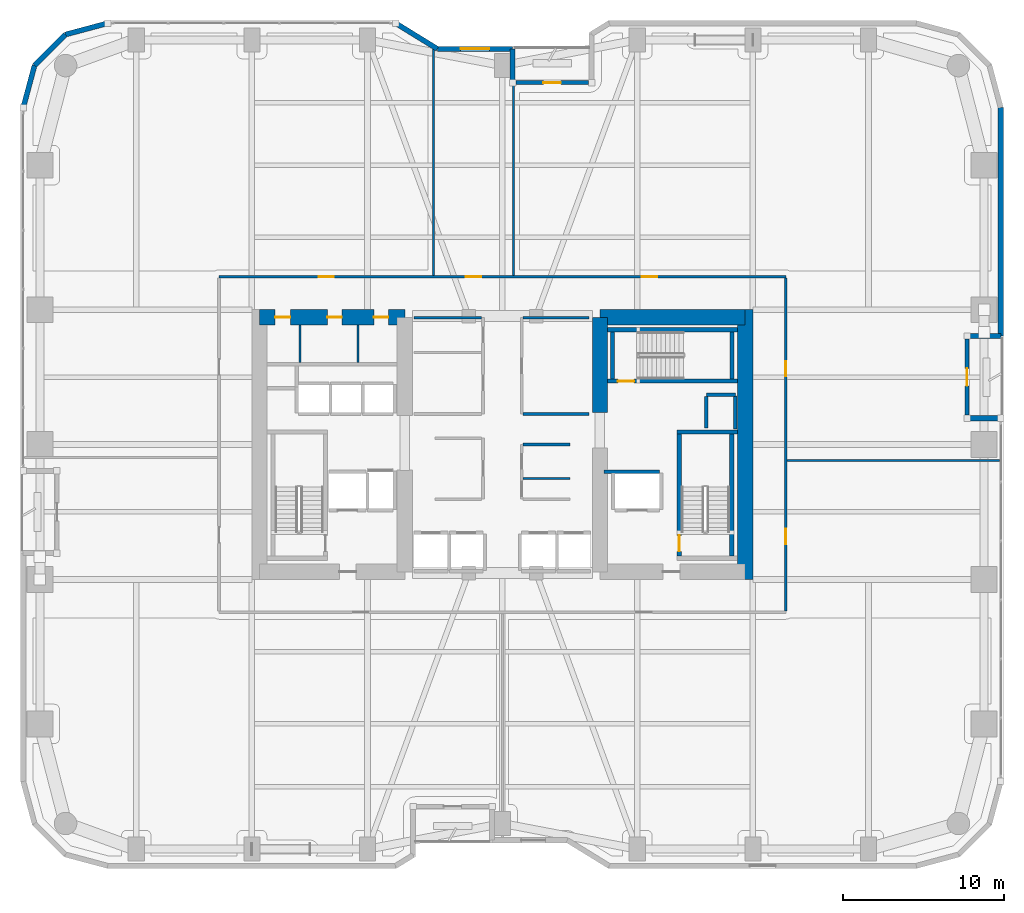
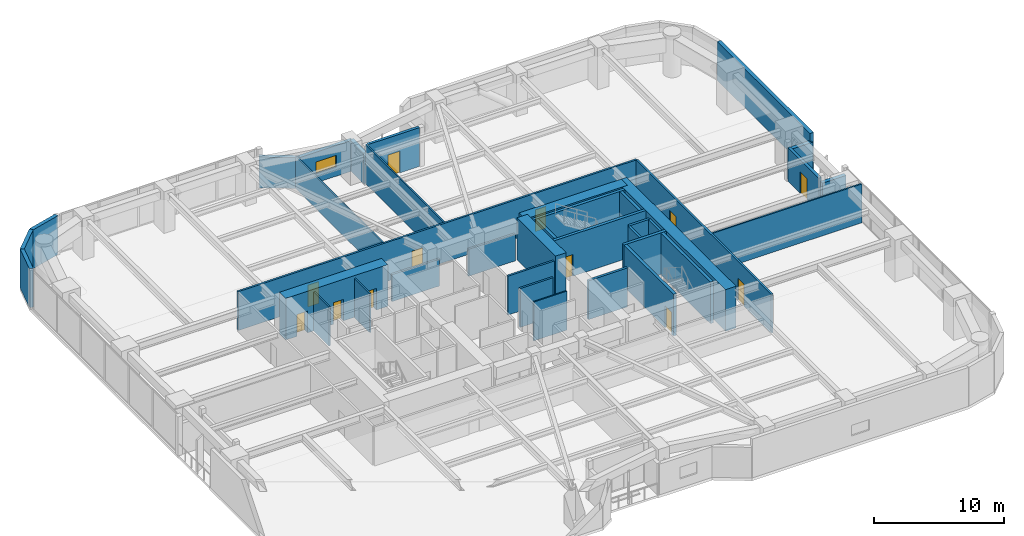
# One storey, part 24 of 29: 38 walls, 12 doors, 1 window, 13 openings.
"""IFC4 building model written with IfcOpenShell, lengths in metres."""

from ifc_helpers import new_model, si_unit, direction, frame, frame_2d, origin, place, context, subcontext, project, spatial, rectangle, extrude, material, layer, layer_set, type_object, element, fill, save


model = new_model("IFC4")

# Units and contexts
model_context = context("Model", 3, precision=1e-05, world=origin(), true_north=direction((0.0, 1.0)))
body_context = subcontext(model_context, "Body", "Model", "MODEL_VIEW")
ifc_project = project(units=[si_unit("LENGTHUNIT", "METRE"), si_unit("AREAUNIT", "SQUARE_METRE"), si_unit("VOLUMEUNIT", "CUBIC_METRE"), si_unit("PLANEANGLEUNIT", "RADIAN"), si_unit("MASSUNIT", "GRAM", prefix="KILO")], contexts=[model_context])

# Site, building, storey
site_placement = place(None, origin())
site = spatial("IfcSite", under=ifc_project, at=site_placement, CompositionType="ELEMENT")
building_placement = place(site_placement, origin())
building = spatial("IfcBuilding", under=site, at=building_placement, Name="Kiyonajd Concourse Tower", CompositionType="ELEMENT")
storey_placement = place(building_placement, frame((0.0, 0.0, 25.5)))
storey = spatial("IfcBuildingStorey", under=building, at=storey_placement, Name="L07", CompositionType="ELEMENT", Elevation=25.5)

# Wall, openings, doors
ifc_material_1 = material(Name="Concrete C80/95", Category="concrete")
ifc_layer_1 = layer(ifc_material_1, 0.949951171875)
ifc_layer_set_1 = layer_set([ifc_layer_1], Name="Concrete C80/95")
wall_type_1 = type_object("IfcWallType", Name="WL-CORE-950", PredefinedType="SHEAR", material=ifc_layer_set_1)
wall_1_placement = place(storey_placement, frame((32.875, 43.925048828125, 0.0), z_axis=(0.0, 0.0, 1.0), x_axis=(1.0, 0.0, 0.0)))
wall_1 = element("IfcWall", 1, at=wall_1_placement, inside=storey, type_object=wall_type_1, Name="L07 West Core North Shear Wall", PredefinedType="SHEAR", context=body_context, shape_type="SweptSolid", body=[
    extrude(rectangle(XDim=9.050048828125, YDim=0.949951171875, at=frame_2d((4.52490234375, 0.0))), origin(), (0.0, 0.0, 1.0), 3.89990234375),
])
opening_1_placement = place(wall_1_placement, frame((0.97509765625, 0.0, 0.0)))
opening_1 = element("IfcOpeningElement", 2, at=opening_1_placement, cuts=wall_1, Name="Opening DI1", PredefinedType="OPENING", context=body_context, shape_type="SweptSolid", body=[
    extrude(rectangle(XDim=0.949951171875, YDim=2.0400390625, at=frame_2d((0.47509765625, 1.02001953125))), frame((0.0, 0.48486328125, 0.0), z_axis=(0.0, -1.0, 0.0), x_axis=(1.0, 0.0, 0.0)), (0.0, 0.0, 1.0), 0.969970703125),
])
opening_2_placement = place(wall_1_placement, frame((4.22509765625, 0.0, 0.0)))
opening_2 = element("IfcOpeningElement", 3, at=opening_2_placement, cuts=wall_1, Name="Opening DI2", PredefinedType="OPENING", context=body_context, shape_type="SweptSolid", body=[
    extrude(rectangle(XDim=0.89990234375, YDim=2.02001953125, at=frame_2d((0.449951171875, 1.010009765625))), frame((0.0, 0.48486328125, 0.0), z_axis=(0.0, -1.0, 0.0), x_axis=(1.0, 0.0, 0.0)), (0.0, 0.0, 1.0), 0.969970703125),
])
opening_3_placement = place(wall_1_placement, frame((7.125, 0.0, 0.0)))
opening_3 = element("IfcOpeningElement", 4, at=opening_3_placement, cuts=wall_1, Name="Opening DI2", PredefinedType="OPENING", context=body_context, shape_type="SweptSolid", body=[
    extrude(rectangle(XDim=0.89990234375, YDim=2.02001953125, at=frame_2d((0.449951171875, 1.010009765625))), frame((0.0, 0.48486328125, 0.0), z_axis=(0.0, -1.0, 0.0), x_axis=(1.0, 0.0, 0.0)), (0.0, 0.0, 1.0), 0.969970703125),
])
ifc_material_2 = material(Name="Natural Oak Acoustic Timber Veneer", Category="wood")
door_type_1 = type_object("IfcDoorType", Name="DR-INT-900", OperationType="NOTDEFINED", PredefinedType="DOOR", material=ifc_material_2)
door_1_placement = place(opening_2_placement, origin())
door_1 = element("IfcDoor", 5, at=door_1_placement, inside=storey, type_object=door_type_1, Name="L07 Male Restroom Door", OperationType="SINGLE_SWING_RIGHT", OverallHeight=2.02001953125, OverallWidth=0.89990234375, PredefinedType="DOOR", context=body_context, shape_type="SweptSolid", body=[
    extrude(rectangle(XDim=0.89990234375, YDim=2.02001953125, at=frame_2d((0.449951171875, 1.010009765625))), frame((0.0, 0.02490234375, 0.0), z_axis=(0.0, -1.0, 0.0), x_axis=(1.0, 0.0, 0.0)), (0.0, 0.0, 1.0), 0.050048828125),
])
fill(opening_2, door_1)
door_2_placement = place(opening_3_placement, origin())
door_2 = element("IfcDoor", 6, at=door_2_placement, inside=storey, type_object=door_type_1, Name="L07 Female Restroom Door", OperationType="SINGLE_SWING_LEFT", OverallHeight=2.02001953125, OverallWidth=0.89990234375, PredefinedType="DOOR", context=body_context, shape_type="SweptSolid", body=[
    extrude(rectangle(XDim=0.89990234375, YDim=2.02001953125, at=frame_2d((0.449951171875, 1.010009765625))), frame((0.0, 0.02490234375, 0.0), z_axis=(0.0, -1.0, 0.0), x_axis=(1.0, 0.0, 0.0)), (0.0, 0.0, 1.0), 0.050048828125),
])
fill(opening_3, door_2)
door_type_2 = type_object("IfcDoorType", Name="DR-INT-950", OperationType="NOTDEFINED", PredefinedType="DOOR", material=ifc_material_2)
door_3_placement = place(opening_1_placement, origin())
door_3 = element("IfcDoor", 7, at=door_3_placement, inside=storey, type_object=door_type_2, Name="L07 Single User Accessible WC Door", OperationType="SINGLE_SWING_LEFT", OverallHeight=2.0400390625, OverallWidth=0.949951171875, PredefinedType="DOOR", context=body_context, shape_type="SweptSolid", body=[
    extrude(rectangle(XDim=0.949951171875, YDim=2.0400390625, at=frame_2d((0.47509765625, 1.02001953125))), frame((0.0, 0.02490234375, 0.0), z_axis=(0.0, -1.0, 0.0), x_axis=(1.0, 0.0, 0.0)), (0.0, 0.0, 1.0), 0.050048828125),
])
fill(opening_1, door_3)

# Walls
wall_2_placement = place(storey_placement, frame((54.074951171875, 38.0, 0.0), z_axis=(0.0, 0.0, 1.0), x_axis=(0.0, 1.0, 0.0)))
element("IfcWall", 8, at=wall_2_placement, inside=storey, type_object=wall_type_1, Name="L07 East Core Inner North Shear Wall", PredefinedType="SHEAR", context=body_context, shape_type="SweptSolid", body=[
    extrude(rectangle(XDim=5.925048828125, YDim=0.949951171875, at=frame_2d((2.96240234375, 0.0))), origin(), (0.0, 0.0, 1.0), 3.89990234375),
])
wall_3_placement = place(storey_placement, frame((63.125, 27.60009765625, 0.0), z_axis=(0.0, 0.0, 1.0), x_axis=(0.0, 1.0, 0.0)))
element("IfcWall", 9, at=wall_3_placement, inside=storey, type_object=wall_type_1, Name="L07 East Core Outer Shear Wall", PredefinedType="SHEAR", context=body_context, shape_type="SweptSolid", body=[
    extrude(rectangle(XDim=16.7998046875, YDim=0.949951171875, at=frame_2d((8.39990234375, 0.0))), origin(), (0.0, 0.0, 1.0), 3.89990234375),
])
wall_4_placement = place(storey_placement, frame((54.074951171875, 43.925048828125, 0.0), z_axis=(0.0, 0.0, 1.0), x_axis=(1.0, 0.0, 0.0)))
element("IfcWall", 10, at=wall_4_placement, inside=storey, type_object=wall_type_1, Name="L07 East Core North Shear Wall", PredefinedType="SHEAR", context=body_context, shape_type="SweptSolid", body=[
    extrude(rectangle(XDim=9.050048828125, YDim=0.949951171875, at=frame_2d((4.52490234375, 0.0))), origin(), (0.0, 0.0, 1.0), 3.89990234375),
])
ifc_material_3 = material(Name="Precast concrete C50/60", Category="concrete")
ifc_layer_2 = layer(ifc_material_3, 0.320068359375)
ifc_layer_set_2 = layer_set([ifc_layer_2], Name="Precast concrete C50/60")
wall_type_2 = type_object("IfcWallType", Name="WL-EXT-320", PredefinedType="SOLIDWALL", material=ifc_layer_set_2)
wall_5_placement = place(storey_placement, frame((18.159912109375, 56.97900390625, 0.0), z_axis=(0.0, 0.0, 1.0), x_axis=(0.25869736047, 0.965958423373, 0.0)))
element("IfcWall", 11, at=wall_5_placement, inside=storey, type_object=wall_type_2, Name="L07 Exterior Concrete Frame Wall 06", PredefinedType="SOLIDWALL", context=body_context, shape_type="SweptSolid", body=[
    extrude(rectangle(XDim=2.731201171875, YDim=0.320068359375, at=frame_2d((1.36572265625, 0.0))), origin(), (0.0, 0.0, 1.0), 3.639892578125),
])
wall_6_placement = place(storey_placement, frame((18.866455078125, 59.6171875, 0.0), z_axis=(0.0, 0.0, 1.0), x_axis=(0.707106781187, 0.707106781187, 0.0)))
element("IfcWall", 12, at=wall_6_placement, inside=storey, type_object=wall_type_2, Name="L07 Exterior Concrete Frame Wall 07", PredefinedType="SOLIDWALL", context=body_context, shape_type="SweptSolid", body=[
    extrude(rectangle(XDim=2.7099609375, YDim=0.320068359375, at=frame_2d((1.35498046875, 0.0))), origin(), (0.0, 0.0, 1.0), 3.639892578125),
])
wall_7_placement = place(storey_placement, frame((20.78271484375, 61.533447265625, 0.0), z_axis=(0.0, 0.0, 1.0), x_axis=(0.965964405026, 0.25867502435, 0.0)))
element("IfcWall", 13, at=wall_7_placement, inside=storey, type_object=wall_type_2, Name="L07 Exterior Concrete Frame Wall 08", PredefinedType="SOLIDWALL", context=body_context, shape_type="SweptSolid", body=[
    extrude(rectangle(XDim=2.7314453125, YDim=0.320068359375, at=frame_2d((1.36572265625, 0.0))), origin(), (0.0, 0.0, 1.0), 3.639892578125),
])
wall_8_placement = place(storey_placement, frame((41.354736328125, 62.239990234375, 0.0), z_axis=(0.0, 0.0, 1.0), x_axis=(0.851630857047, -0.524142044989, 0.0)))
element("IfcWall", 14, at=wall_8_placement, inside=storey, type_object=wall_type_2, Name="L07 Exterior Concrete Frame Wall 10", PredefinedType="SOLIDWALL", context=body_context, shape_type="SweptSolid", body=[
    extrude(rectangle(XDim=3.052734375, YDim=0.320068359375, at=frame_2d((1.5263671875, 0.0))), origin(), (0.0, 0.0, 1.0), 2.875),
])

# Wall, opening, window
wall_9_placement = place(storey_placement, frame((43.95458984375, 60.639892578125, 0.0), z_axis=(0.0, 0.0, 1.0), x_axis=(1.0, 0.0, 0.0)))
wall_9 = element("IfcWall", 15, at=wall_9_placement, inside=storey, type_object=wall_type_2, Name="L07 Exterior Concrete Frame Wall 11", PredefinedType="SOLIDWALL", context=body_context, shape_type="SweptSolid", body=[
    extrude(rectangle(XDim=4.685302734375, YDim=0.320068359375, at=frame_2d((2.3427734375, 0.0))), origin(), (0.0, 0.0, 1.0), 2.875),
])
opening_4_placement = place(wall_9_placement, frame((1.443115234375, 0.0, 0.85009765625)))
opening_4 = element("IfcOpeningElement", 16, at=opening_4_placement, cuts=wall_9, Name="Opening WN1", PredefinedType="OPENING", context=body_context, shape_type="SweptSolid", body=[
    extrude(rectangle(XDim=1.800048828125, YDim=1.10009765625, at=frame_2d((0.89990234375, 0.550048828125))), frame((0.0, 0.169921875, 0.0), z_axis=(0.0, -1.0, 0.0), x_axis=(1.0, 0.0, 0.0)), (0.0, 0.0, 1.0), 0.340087890625),
])
ifc_material_4 = material(Name="Double Low-E Insulated Glass", Category="glass")
window_type = type_object("IfcWindowType", Name="WN-VIS-1800x1100", PartitioningType="SINGLE_PANEL", PredefinedType="WINDOW", material=ifc_material_4)
window_placement = place(opening_4_placement, origin())
window = element("IfcWindow", 17, at=window_placement, inside=storey, type_object=window_type, Name="L07 Modular Facade Vision Window 11", OverallHeight=1.10009765625, OverallWidth=1.800048828125, PartitioningType="SINGLE_PANEL", PredefinedType="WINDOW", context=body_context, shape_type="SweptSolid", body=[
    extrude(rectangle(XDim=1.800048828125, YDim=1.10009765625, at=frame_2d((0.89990234375, 0.550048828125))), frame((0.0, 0.030029296875, 0.0), z_axis=(0.0, -1.0, 0.0), x_axis=(1.0, 0.0, 0.0)), (0.0, 0.0, 1.0), 0.06005859375),
])
fill(opening_4, window)

# Walls
wall_10_placement = place(storey_placement, frame((48.639892578125, 60.639892578125, 0.0), z_axis=(0.0, 0.0, 1.0), x_axis=(0.0, -1.0, 0.0)))
element("IfcWall", 18, at=wall_10_placement, inside=storey, type_object=wall_type_2, Name="L07 Exterior Concrete Frame Wall 12", PredefinedType="SOLIDWALL", context=body_context, shape_type="SweptSolid", body=[
    extrude(rectangle(XDim=2.099853515625, YDim=0.320068359375, at=frame_2d((1.0498046875, 0.0))), origin(), (0.0, 0.0, 1.0), 2.875),
])
wall_11_placement = place(storey_placement, frame((79.0400390625, 56.97900390625, 0.0), z_axis=(0.0, 0.0, 1.0), x_axis=(0.0, -1.0, 0.0)))
element("IfcWall", 19, at=wall_11_placement, inside=storey, type_object=wall_type_2, Name="L07 Exterior Concrete Frame Wall 20", PredefinedType="SOLIDWALL", context=body_context, shape_type="SweptSolid", body=[
    extrude(rectangle(XDim=14.218994140625, YDim=0.320068359375, at=frame_2d((7.109375, 0.0))), origin(), (0.0, 0.0, 1.0), 3.639892578125),
])
for number, where, z_axis, x_axis, name in (
    (20, (79.0400390625, 42.760009765625, 0.0), (0.0, 0.0, 1.0), (-1.0, 0.0, 0.0), "L07 Exterior Concrete Frame Wall 21"),
    (21, (76.93994140625, 37.639892578125, 0.0), (0.0, 0.0, 1.0), (1.0, 0.0, 0.0), "L07 Exterior Concrete Frame Wall 23"),
):
    element("IfcWall", number, at=place(storey_placement, frame(where, z_axis=z_axis, x_axis=x_axis)), inside=storey, type_object=wall_type_2, Name=name, PredefinedType="SOLIDWALL", context=body_context, shape_type="SweptSolid", body=[
        extrude(rectangle(XDim=2.10009765625, YDim=0.320068359375, at=frame_2d((1.050048828125, 0.0))), origin(), (0.0, 0.0, 1.0), 2.875),
    ])

# Wall, opening, door
ifc_layer_3 = layer(ifc_material_3, 0.239990234375)
ifc_layer_set_3 = layer_set([ifc_layer_3], Name="Precast concrete C50/60")
wall_type_3 = type_object("IfcWallType", Name="WL-LOG-240", PredefinedType="SOLIDWALL", material=ifc_layer_set_3)
wall_12_placement = place(storey_placement, frame((48.8349609375, 58.5400390625, 0.0), z_axis=(0.0, 0.0, 1.0), x_axis=(1.0, 0.0, 0.0)))
wall_12 = element("IfcWall", 22, at=wall_12_placement, inside=storey, type_object=wall_type_3, Name="L07 Recessed Loggia Thermal Wall LOG-N", PredefinedType="SOLIDWALL", context=body_context, shape_type="SweptSolid", body=[
    extrude(rectangle(XDim=4.530029296875, YDim=0.239990234375, at=frame_2d((2.26513671875, 0.0))), origin(), (0.0, 0.0, 1.0), 3.639892578125),
])
opening_5_placement = place(wall_12_placement, frame((1.715087890625, 0.0, 0.0)))
opening_5 = element("IfcOpeningElement", 23, at=opening_5_placement, cuts=wall_12, Name="Opening DL2", PredefinedType="OPENING", context=body_context, shape_type="SweptSolid", body=[
    extrude(rectangle(XDim=1.10009765625, YDim=2.0400390625, at=frame_2d((0.550048828125, 1.02001953125))), frame((0.0, 0.1298828125, 0.0), z_axis=(0.0, -1.0, 0.0), x_axis=(1.0, 0.0, 0.0)), (0.0, 0.0, 1.0), 0.260009765625),
])
ifc_material_5 = material(Name="Thermally Broken Anodised Aluminium", Category="aluminium")
door_type_3 = type_object("IfcDoorType", Name="DR-LOG-1100", OperationType="NOTDEFINED", PredefinedType="DOOR", material=ifc_material_5)
door_4_placement = place(opening_5_placement, origin())
door_4 = element("IfcDoor", 24, at=door_4_placement, inside=storey, type_object=door_type_3, Name="L07 Engawa Loggia Access Door LOG-N", OperationType="SINGLE_SWING_RIGHT", OverallHeight=2.0400390625, OverallWidth=1.10009765625, PredefinedType="DOOR", context=body_context, shape_type="SweptSolid", body=[
    extrude(rectangle(XDim=1.10009765625, YDim=2.0400390625, at=frame_2d((0.550048828125, 1.02001953125))), frame((0.0, 0.02490234375, 0.0), z_axis=(0.0, -1.0, 0.0), x_axis=(1.0, 0.0, 0.0)), (0.0, 0.0, 1.0), 0.050048828125),
])
fill(opening_5, door_4)

wall_13_placement = place(storey_placement, frame((76.93994140625, 42.56494140625, 0.0), z_axis=(0.0, 0.0, 1.0), x_axis=(0.0, -1.0, 0.0)))
wall_13 = element("IfcWall", 25, at=wall_13_placement, inside=storey, type_object=wall_type_3, Name="L07 Recessed Loggia Thermal Wall LOG-E", PredefinedType="SOLIDWALL", context=body_context, shape_type="SweptSolid", body=[
    extrude(rectangle(XDim=4.72998046875, YDim=0.239990234375, at=frame_2d((2.364990234375, 0.0))), origin(), (0.0, 0.0, 1.0), 3.162109375),
])
opening_6_placement = place(wall_13_placement, frame((1.81494140625, 0.0, 0.0)))
opening_6 = element("IfcOpeningElement", 26, at=opening_6_placement, cuts=wall_13, Name="Opening DL2", PredefinedType="OPENING", context=body_context, shape_type="SweptSolid", body=[
    extrude(rectangle(XDim=1.10009765625, YDim=2.0400390625, at=frame_2d((0.550048828125, 1.02001953125))), frame((0.0, 0.1298828125, 0.0), z_axis=(0.0, -1.0, 0.0), x_axis=(1.0, 0.0, 0.0)), (0.0, 0.0, 1.0), 0.260009765625),
])
door_5_placement = place(opening_6_placement, origin())
door_5 = element("IfcDoor", 27, at=door_5_placement, inside=storey, type_object=door_type_3, Name="L07 Engawa Loggia Access Door LOG-E", OperationType="SINGLE_SWING_LEFT", OverallHeight=2.0400390625, OverallWidth=1.10009765625, PredefinedType="DOOR", context=body_context, shape_type="SweptSolid", body=[
    extrude(rectangle(XDim=1.10009765625, YDim=2.0400390625, at=frame_2d((0.550048828125, 1.02001953125))), frame((0.0, 0.02490234375, 0.0), z_axis=(0.0, -1.0, 0.0), x_axis=(1.0, 0.0, 0.0)), (0.0, 0.0, 1.0), 0.050048828125),
])
fill(opening_6, door_5)

# Walls
ifc_material_6 = material(Name="Gypsum Board on Cold-Formed Steel Stud", Category="steel")
ifc_layer_4 = layer(ifc_material_6, 0.125)
ifc_layer_set_4 = layer_set([ifc_layer_4], Name="Gypsum Board on Cold-Formed Steel Stud")
wall_type_4 = type_object("IfcWallType", Name="WL-PART-125", PredefinedType="PARTITIONING", material=ifc_layer_set_4)
for number, where, z_axis, x_axis, name in (
    (28, (35.39990234375, 41.094970703125, 0.0), (0.0, 0.0, 1.0), (0.0, 1.0, 0.0), "L07 Interior Partition Wall"),
    (29, (39.0, 41.094970703125, 0.0), (0.0, 0.0, 1.0), (0.0, 1.0, 0.0), "L07 Interior Partition Wall"),
):
    element("IfcWall", number, at=place(storey_placement, frame(where, z_axis=z_axis, x_axis=x_axis)), inside=storey, type_object=wall_type_4, Name=name, PredefinedType="PARTITIONING", context=body_context, shape_type="SweptSolid", body=[
        extrude(rectangle(XDim=2.35498046875, YDim=0.125, at=frame_2d((1.177490234375, 0.0))), origin(), (0.0, 0.0, 1.0), 3.639892578125),
    ])
wall_14_placement = place(storey_placement, frame((49.287109375, 33.89208984375, 0.0), z_axis=(0.0, 0.0, 1.0), x_axis=(1.0, 0.0, 0.0)))
element("IfcWall", 30, at=wall_14_placement, inside=storey, type_object=wall_type_4, Name="L07 Interior Partition Wall", PredefinedType="PARTITIONING", context=body_context, shape_type="SweptSolid", body=[
    extrude(rectangle(XDim=2.912841796875, YDim=0.125, at=frame_2d((1.45654296875, 0.0))), origin(), (0.0, 0.0, 1.0), 3.639892578125),
])
wall_15_placement = place(storey_placement, frame((43.719970703125, 46.537109375, 0.0), z_axis=(0.0, 0.0, 1.0), x_axis=(0.0, 1.0, 0.0)))
element("IfcWall", 31, at=wall_15_placement, inside=storey, type_object=wall_type_4, Name="L07 Interior Partition Wall", PredefinedType="PARTITIONING", context=body_context, shape_type="SweptSolid", body=[
    extrude(rectangle(XDim=14.0927734375, YDim=0.125, at=frame_2d((7.04638671875, 0.0))), origin(), (0.0, 0.0, 1.0), 3.0029296875),
])
wall_16_placement = place(storey_placement, frame((48.68994140625, 46.537109375, 0.0), z_axis=(0.0, 0.0, 1.0), x_axis=(0.0, 1.0, 0.0)))
element("IfcWall", 32, at=wall_16_placement, inside=storey, type_object=wall_type_4, Name="L07 Interior Partition Wall", PredefinedType="PARTITIONING", context=body_context, shape_type="SweptSolid", body=[
    extrude(rectangle(XDim=12.0029296875, YDim=0.125, at=frame_2d((6.00146484375, 0.0))), origin(), (0.0, 0.0, 1.0), 3.639892578125),
])
wall_17_placement = place(storey_placement, frame((65.737060546875, 35.0, 0.0), z_axis=(0.0, 0.0, 1.0), x_axis=(1.0, 0.0, 0.0)))
element("IfcWall", 33, at=wall_17_placement, inside=storey, type_object=wall_type_4, Name="L07 Interior Partition Wall", PredefinedType="PARTITIONING", context=body_context, shape_type="SweptSolid", body=[
    extrude(rectangle(XDim=13.218017578125, YDim=0.125, at=frame_2d((6.60888671875, 0.0))), origin(), (0.0, 0.0, 1.0), 3.639892578125),
])
ifc_layer_5 = layer(ifc_material_6, 0.2099609375)
ifc_layer_set_5 = layer_set([ifc_layer_5], Name="Gypsum Board on Cold-Formed Steel Stud")
wall_type_5 = type_object("IfcWallType", Name="WL-SHAFT-210", PredefinedType="PARTITIONING", material=ifc_layer_set_5)
wall_18_placement = place(storey_placement, frame((60.719970703125, 39.10009765625, 0.0), z_axis=(0.0, 0.0, 1.0), x_axis=(1.0, 0.0, 0.0)))
element("IfcWall", 34, at=wall_18_placement, inside=storey, type_object=wall_type_5, Name="L07 Shaft Enclosure Wall", PredefinedType="PARTITIONING", context=body_context, shape_type="SweptSolid", body=[
    extrude(rectangle(XDim=1.800048828125, YDim=0.2099609375, at=frame_2d((0.89990234375, 0.0))), origin(), (0.0, 0.0, 1.0), 3.639892578125),
])
wall_19_placement = place(storey_placement, frame((60.699951171875, 37.02001953125, 0.0), z_axis=(0.0, 0.0, 1.0), x_axis=(0.0, 1.0, 0.0)))
element("IfcWall", 35, at=wall_19_placement, inside=storey, type_object=wall_type_5, Name="L07 Shaft Enclosure Wall", PredefinedType="PARTITIONING", context=body_context, shape_type="SweptSolid", body=[
    extrude(rectangle(XDim=1.9599609375, YDim=0.2099609375, at=frame_2d((0.97998046875, 0.0))), origin(), (0.0, 0.0, 1.0), 3.639892578125),
])
wall_20_placement = place(storey_placement, frame((62.5, 36.97998046875, 0.0), z_axis=(0.0, 0.0, 1.0), x_axis=(0.0, 1.0, 0.0)))
element("IfcWall", 36, at=wall_20_placement, inside=storey, type_object=wall_type_5, Name="L07 Shaft Enclosure Wall", PredefinedType="PARTITIONING", context=body_context, shape_type="SweptSolid", body=[
    extrude(rectangle(XDim=2.0400390625, YDim=0.2099609375, at=frame_2d((1.02001953125, 0.0))), origin(), (0.0, 0.0, 1.0), 3.639892578125),
])
wall_21_placement = place(storey_placement, frame((54.320068359375, 34.300048828125, 0.0), z_axis=(0.0, 0.0, 1.0), x_axis=(1.0, 0.0, 0.0)))
element("IfcWall", 37, at=wall_21_placement, inside=storey, type_object=wall_type_5, Name="L07 Shaft Enclosure Wall", PredefinedType="PARTITIONING", context=body_context, shape_type="SweptSolid", body=[
    extrude(rectangle(XDim=3.47998046875, YDim=0.2099609375, at=frame_2d((1.739990234375, 0.0))), origin(), (0.0, 0.0, 1.0), 3.639892578125),
])
ifc_layer_6 = layer(ifc_material_6, 0.169921875)
ifc_layer_set_6 = layer_set([ifc_layer_6], Name="Gypsum Board on Cold-Formed Steel Stud")
wall_type_6 = type_object("IfcWallType", Name="WL-SMK-170", PredefinedType="PARTITIONING", material=ifc_layer_set_6)
wall_22_placement = place(storey_placement, frame((49.287109375, 36.0, 0.0), z_axis=(0.0, 0.0, 1.0), x_axis=(1.0, 0.0, 0.0)))
element("IfcWall", 38, at=wall_22_placement, inside=storey, type_object=wall_type_6, Name="L07 Interior Partition Wall", PredefinedType="PARTITIONING", context=body_context, shape_type="SweptSolid", body=[
    extrude(rectangle(XDim=2.912841796875, YDim=0.169921875, at=frame_2d((1.45654296875, 0.0))), origin(), (0.0, 0.0, 1.0), 3.639892578125),
])
wall_23_placement = place(storey_placement, frame((42.5, 43.89990234375, 0.0), z_axis=(0.0, 0.0, 1.0), x_axis=(1.0, 0.0, 0.0)))
element("IfcWall", 39, at=wall_23_placement, inside=storey, type_object=wall_type_6, Name="L07 Interior Partition Wall", PredefinedType="PARTITIONING", context=body_context, shape_type="SweptSolid", body=[
    extrude(rectangle(XDim=4.212890625, YDim=0.169921875, at=frame_2d((2.1064453125, 0.0))), origin(), (0.0, 0.0, 1.0), 2.52490234375),
])
wall_24_placement = place(storey_placement, frame((49.287109375, 37.89990234375, 0.0), z_axis=(0.0, 0.0, 1.0), x_axis=(1.0, 0.0, 0.0)))
element("IfcWall", 40, at=wall_24_placement, inside=storey, type_object=wall_type_6, Name="L07 Interior Partition Wall", PredefinedType="PARTITIONING", context=body_context, shape_type="SweptSolid", body=[
    extrude(rectangle(XDim=4.11279296875, YDim=0.169921875, at=frame_2d((2.056396484375, 0.0))), origin(), (0.0, 0.0, 1.0), 3.639892578125),
])
wall_25_placement = place(storey_placement, frame((49.287109375, 43.89990234375, 0.0), z_axis=(0.0, 0.0, 1.0), x_axis=(1.0, 0.0, 0.0)))
element("IfcWall", 41, at=wall_25_placement, inside=storey, type_object=wall_type_6, Name="L07 Interior Partition Wall", PredefinedType="PARTITIONING", context=body_context, shape_type="SweptSolid", body=[
    extrude(rectangle(XDim=4.11279296875, YDim=0.169921875, at=frame_2d((2.056396484375, 0.0))), origin(), (0.0, 0.0, 1.0), 2.52490234375),
])

# Wall, openings, doors
wall_26_placement = place(storey_placement, frame((30.35009765625, 46.449951171875, 0.0), z_axis=(0.0, 0.0, 1.0), x_axis=(1.0, 0.0, 0.0)))
wall_26 = element("IfcWall", 42, at=wall_26_placement, inside=storey, type_object=wall_type_6, Name="L07 Interior Partition Wall", PredefinedType="PARTITIONING", context=body_context, shape_type="SweptSolid", body=[
    extrude(rectangle(XDim=35.2998046875, YDim=0.169921875, at=frame_2d((17.64990234375, 0.0))), origin(), (0.0, 0.0, 1.0), 3.639892578125),
])
opening_7_placement = place(wall_26_placement, frame((6.2099609375, 0.0, 0.0)))
opening_7 = element("IfcOpeningElement", 43, at=opening_7_placement, cuts=wall_26, Name="Opening DI1", PredefinedType="OPENING", context=body_context, shape_type="SweptSolid", body=[
    extrude(rectangle(XDim=0.949951171875, YDim=2.0400390625, at=frame_2d((0.47509765625, 1.02001953125))), frame((0.0, 0.094970703125, 0.0), z_axis=(0.0, -1.0, 0.0), x_axis=(1.0, 0.0, 0.0)), (0.0, 0.0, 1.0), 0.18994140625),
])
opening_8_placement = place(wall_26_placement, frame((15.3798828125, 0.0, 0.0)))
opening_8 = element("IfcOpeningElement", 44, at=opening_8_placement, cuts=wall_26, Name="Opening DI1", PredefinedType="OPENING", context=body_context, shape_type="SweptSolid", body=[
    extrude(rectangle(XDim=0.949951171875, YDim=2.0400390625, at=frame_2d((0.47509765625, 1.02001953125))), frame((0.0, 0.094970703125, 0.0), z_axis=(0.0, -1.0, 0.0), x_axis=(1.0, 0.0, 0.0)), (0.0, 0.0, 1.0), 0.18994140625),
])
opening_9_placement = place(wall_26_placement, frame((26.344970703125, 0.0, 0.0)))
opening_9 = element("IfcOpeningElement", 45, at=opening_9_placement, cuts=wall_26, Name="Opening DI1", PredefinedType="OPENING", context=body_context, shape_type="SweptSolid", body=[
    extrude(rectangle(XDim=0.949951171875, YDim=2.0400390625, at=frame_2d((0.47509765625, 1.02001953125))), frame((0.0, 0.094970703125, 0.0), z_axis=(0.0, -1.0, 0.0), x_axis=(1.0, 0.0, 0.0)), (0.0, 0.0, 1.0), 0.18994140625),
])
door_6_placement = place(opening_7_placement, origin())
door_6 = element("IfcDoor", 46, at=door_6_placement, inside=storey, type_object=door_type_2, Name="L07 Interior Door", OperationType="SINGLE_SWING_LEFT", OverallHeight=2.0400390625, OverallWidth=0.949951171875, PredefinedType="DOOR", context=body_context, shape_type="SweptSolid", body=[
    extrude(rectangle(XDim=0.949951171875, YDim=2.0400390625, at=frame_2d((0.47509765625, 1.02001953125))), frame((0.0, 0.02490234375, 0.0), z_axis=(0.0, -1.0, 0.0), x_axis=(1.0, 0.0, 0.0)), (0.0, 0.0, 1.0), 0.050048828125),
])
fill(opening_7, door_6)
door_7_placement = place(opening_8_placement, origin())
door_7 = element("IfcDoor", 47, at=door_7_placement, inside=storey, type_object=door_type_2, Name="L07 Interior Door", OperationType="SINGLE_SWING_RIGHT", OverallHeight=2.0400390625, OverallWidth=0.949951171875, PredefinedType="DOOR", context=body_context, shape_type="SweptSolid", body=[
    extrude(rectangle(XDim=0.949951171875, YDim=2.0400390625, at=frame_2d((0.47509765625, 1.02001953125))), frame((0.0, 0.02490234375, 0.0), z_axis=(0.0, -1.0, 0.0), x_axis=(1.0, 0.0, 0.0)), (0.0, 0.0, 1.0), 0.050048828125),
])
fill(opening_8, door_7)
door_8_placement = place(opening_9_placement, origin())
door_8 = element("IfcDoor", 48, at=door_8_placement, inside=storey, type_object=door_type_2, Name="L07 Interior Door", OperationType="SINGLE_SWING_LEFT", OverallHeight=2.0400390625, OverallWidth=0.949951171875, PredefinedType="DOOR", context=body_context, shape_type="SweptSolid", body=[
    extrude(rectangle(XDim=0.949951171875, YDim=2.0400390625, at=frame_2d((0.47509765625, 1.02001953125))), frame((0.0, 0.02490234375, 0.0), z_axis=(0.0, -1.0, 0.0), x_axis=(1.0, 0.0, 0.0)), (0.0, 0.0, 1.0), 0.050048828125),
])
fill(opening_9, door_8)

wall_27_placement = place(storey_placement, frame((65.64990234375, 25.636962890625, 0.0), z_axis=(0.0, 0.0, 1.0), x_axis=(0.0, 1.0, 0.0)))
wall_27 = element("IfcWall", 49, at=wall_27_placement, inside=storey, type_object=wall_type_6, Name="L07 Interior Partition Wall", PredefinedType="PARTITIONING", context=body_context, shape_type="SweptSolid", body=[
    extrude(rectangle(XDim=20.72607421875, YDim=0.169921875, at=frame_2d((10.363037109375, 0.0))), origin(), (0.0, 0.0, 1.0), 3.639892578125),
])
opening_10_placement = place(wall_27_placement, frame((4.1630859375, 0.0, 0.0)))
opening_10 = element("IfcOpeningElement", 50, at=opening_10_placement, cuts=wall_27, Name="Opening DI1", PredefinedType="OPENING", context=body_context, shape_type="SweptSolid", body=[
    extrude(rectangle(XDim=0.949951171875, YDim=2.0400390625, at=frame_2d((0.47509765625, 1.02001953125))), frame((0.0, 0.094970703125, 0.0), z_axis=(0.0, -1.0, 0.0), x_axis=(1.0, 0.0, 0.0)), (0.0, 0.0, 1.0), 0.18994140625),
])
opening_11_placement = place(wall_27_placement, frame((14.613037109375, 0.0, 0.0)))
opening_11 = element("IfcOpeningElement", 51, at=opening_11_placement, cuts=wall_27, Name="Opening DI1", PredefinedType="OPENING", context=body_context, shape_type="SweptSolid", body=[
    extrude(rectangle(XDim=0.949951171875, YDim=2.0400390625, at=frame_2d((0.47509765625, 1.02001953125))), frame((0.0, 0.094970703125, 0.0), z_axis=(0.0, -1.0, 0.0), x_axis=(1.0, 0.0, 0.0)), (0.0, 0.0, 1.0), 0.18994140625),
])
door_9_placement = place(opening_10_placement, origin())
door_9 = element("IfcDoor", 52, at=door_9_placement, inside=storey, type_object=door_type_2, Name="L07 Interior Door", OperationType="SINGLE_SWING_RIGHT", OverallHeight=2.0400390625, OverallWidth=0.949951171875, PredefinedType="DOOR", context=body_context, shape_type="SweptSolid", body=[
    extrude(rectangle(XDim=0.949951171875, YDim=2.0400390625, at=frame_2d((0.47509765625, 1.02001953125))), frame((0.0, 0.02490234375, 0.0), z_axis=(0.0, -1.0, 0.0), x_axis=(1.0, 0.0, 0.0)), (0.0, 0.0, 1.0), 0.050048828125),
])
fill(opening_10, door_9)
door_10_placement = place(opening_11_placement, origin())
door_10 = element("IfcDoor", 53, at=door_10_placement, inside=storey, type_object=door_type_2, Name="L07 Interior Door", OperationType="SINGLE_SWING_LEFT", OverallHeight=2.0400390625, OverallWidth=0.949951171875, PredefinedType="DOOR", context=body_context, shape_type="SweptSolid", body=[
    extrude(rectangle(XDim=0.949951171875, YDim=2.0400390625, at=frame_2d((0.47509765625, 1.02001953125))), frame((0.0, 0.02490234375, 0.0), z_axis=(0.0, -1.0, 0.0), x_axis=(1.0, 0.0, 0.0)), (0.0, 0.0, 1.0), 0.050048828125),
])
fill(opening_11, door_10)

# Wall
ifc_material_7 = material(Name="Concrete C50/60", Category="concrete")
ifc_layer_7 = layer(ifc_material_7, 0.260009765625)
ifc_layer_set_7 = layer_set([ifc_layer_7], Name="Concrete C50/60")
wall_type_7 = type_object("IfcWallType", Name="WL-STAIR-260", PredefinedType="SHEAR", material=ifc_layer_set_7)
wall_28_placement = place(storey_placement, frame((58.889892578125, 36.780029296875, 0.0), z_axis=(0.0, 0.0, 1.0), x_axis=(1.0, 0.0, 0.0)))
element("IfcWall", 54, at=wall_28_placement, inside=storey, type_object=wall_type_7, Name="L07 Stair ST2 Structural North Wall", PredefinedType="SHEAR", context=body_context, shape_type="SweptSolid", body=[
    extrude(rectangle(XDim=3.760009765625, YDim=0.260009765625, at=frame_2d((1.8798828125, 0.0))), origin(), (0.0, 0.0, 1.0), 3.89990234375),
])

# Wall, opening, door
wall_29_placement = place(storey_placement, frame((59.02001953125, 29.050048828125, 0.0), z_axis=(0.0, 0.0, 1.0), x_axis=(0.0, 1.0, 0.0)))
wall_29 = element("IfcWall", 55, at=wall_29_placement, inside=storey, type_object=wall_type_7, Name="L07 Stair ST2 Structural West Wall", PredefinedType="SHEAR", context=body_context, shape_type="SweptSolid", body=[
    extrude(rectangle(XDim=7.599853515625, YDim=0.260009765625, at=frame_2d((3.7998046875, 0.0))), origin(), (0.0, 0.0, 1.0), 3.89990234375),
])
opening_12_placement = place(wall_29_placement, frame((0.300048828125, 0.0, 0.0)))
opening_12 = element("IfcOpeningElement", 56, at=opening_12_placement, cuts=wall_29, Name="Opening DF1", PredefinedType="OPENING", context=body_context, shape_type="SweptSolid", body=[
    extrude(rectangle(XDim=1.0, YDim=2.0400390625, at=frame_2d((0.5, 1.02001953125))), frame((0.0, 0.139892578125, 0.0), z_axis=(0.0, -1.0, 0.0), x_axis=(1.0, 0.0, 0.0)), (0.0, 0.0, 1.0), 0.280029296875),
])
ifc_material_8 = material(Name="Brushed Stainless Steel Cab Assembly", Category="steel")
door_type_4 = type_object("IfcDoorType", Name="DR-FD90-1000", OperationType="NOTDEFINED", PredefinedType="DOOR", material=ifc_material_8)
door_11_placement = place(opening_12_placement, origin())
door_11 = element("IfcDoor", 57, at=door_11_placement, inside=storey, type_object=door_type_4, Name="L07 Stair ST2 FSAE Door", OperationType="SINGLE_SWING_RIGHT", OverallHeight=2.0400390625, OverallWidth=1.0, PredefinedType="DOOR", context=body_context, shape_type="SweptSolid", body=[
    extrude(rectangle(XDim=1.0, YDim=2.0400390625, at=frame_2d((0.5, 1.02001953125))), frame((0.0, 0.02490234375, 0.0), z_axis=(0.0, -1.0, 0.0), x_axis=(1.0, 0.0, 0.0)), (0.0, 0.0, 1.0), 0.050048828125),
])
fill(opening_12, door_11)

# Wall
wall_30_placement = place(storey_placement, frame((62.280029296875, 29.050048828125, 0.0), z_axis=(0.0, 0.0, 1.0), x_axis=(0.0, 1.0, 0.0)))
element("IfcWall", 58, at=wall_30_placement, inside=storey, type_object=wall_type_7, Name="L07 Stair ST2 Structural East Wall", PredefinedType="SHEAR", context=body_context, shape_type="SweptSolid", body=[
    extrude(rectangle(XDim=7.599853515625, YDim=0.260009765625, at=frame_2d((3.7998046875, 0.0))), origin(), (0.0, 0.0, 1.0), 3.89990234375),
])

# Wall, opening, door
wall_31_placement = place(storey_placement, frame((54.550048828125, 39.949951171875, 0.0), z_axis=(0.0, 0.0, 1.0), x_axis=(1.0, 0.0, 0.0)))
wall_31 = element("IfcWall", 59, at=wall_31_placement, inside=storey, type_object=wall_type_7, Name="L07 Stair ST3 Structural South Wall", PredefinedType="SHEAR", context=body_context, shape_type="SweptSolid", body=[
    extrude(rectangle(XDim=8.099853515625, YDim=0.260009765625, at=frame_2d((4.0498046875, 0.0))), origin(), (0.0, 0.0, 1.0), 3.89990234375),
])
opening_13_placement = place(wall_31_placement, frame((0.64990234375, 0.0, 0.0)))
opening_13 = element("IfcOpeningElement", 60, at=opening_13_placement, cuts=wall_31, Name="Opening DF1", PredefinedType="OPENING", context=body_context, shape_type="SweptSolid", body=[
    extrude(rectangle(XDim=1.0, YDim=2.0400390625, at=frame_2d((0.5, 1.02001953125))), frame((0.0, 0.139892578125, 0.0), z_axis=(0.0, -1.0, 0.0), x_axis=(1.0, 0.0, 0.0)), (0.0, 0.0, 1.0), 0.280029296875),
])
door_12_placement = place(opening_13_placement, origin())
door_12 = element("IfcDoor", 61, at=door_12_placement, inside=storey, type_object=door_type_4, Name="L07 Stair ST3 Enclosure Door", OperationType="SINGLE_SWING_LEFT", OverallHeight=2.0400390625, OverallWidth=1.0, PredefinedType="DOOR", context=body_context, shape_type="SweptSolid", body=[
    extrude(rectangle(XDim=1.0, YDim=2.0400390625, at=frame_2d((0.5, 1.02001953125))), frame((0.0, 0.02490234375, 0.0), z_axis=(0.0, -1.0, 0.0), x_axis=(1.0, 0.0, 0.0)), (0.0, 0.0, 1.0), 0.050048828125),
])
fill(opening_13, door_12)

# Walls
wall_32_placement = place(storey_placement, frame((54.550048828125, 43.14990234375, 0.0), z_axis=(0.0, 0.0, 1.0), x_axis=(1.0, 0.0, 0.0)))
element("IfcWall", 62, at=wall_32_placement, inside=storey, type_object=wall_type_7, Name="L07 Stair ST3 Structural North Wall", PredefinedType="SHEAR", context=body_context, shape_type="SweptSolid", body=[
    extrude(rectangle(XDim=8.099853515625, YDim=0.260009765625, at=frame_2d((4.0498046875, 0.0))), origin(), (0.0, 0.0, 1.0), 3.89990234375),
])
for number, where, z_axis, x_axis, name in (
    (63, (54.85009765625, 40.080078125, 0.0), (0.0, 0.0, 1.0), (0.0, 1.0, 0.0), "L07 Stair ST3 Structural West Wall"),
    (64, (62.31005859375, 40.080078125, 0.0), (0.0, 0.0, 1.0), (0.0, 1.0, 0.0), "L07 Stair ST3 Structural East Wall"),
):
    element("IfcWall", number, at=place(storey_placement, frame(where, z_axis=z_axis, x_axis=x_axis)), inside=storey, type_object=wall_type_7, Name=name, PredefinedType="SHEAR", context=body_context, shape_type="SweptSolid", body=[
        extrude(rectangle(XDim=2.93994140625, YDim=0.260009765625, at=frame_2d((1.469970703125, 0.0))), origin(), (0.0, 0.0, 1.0), 3.89990234375),
    ])

save(model, "model.ifc")
